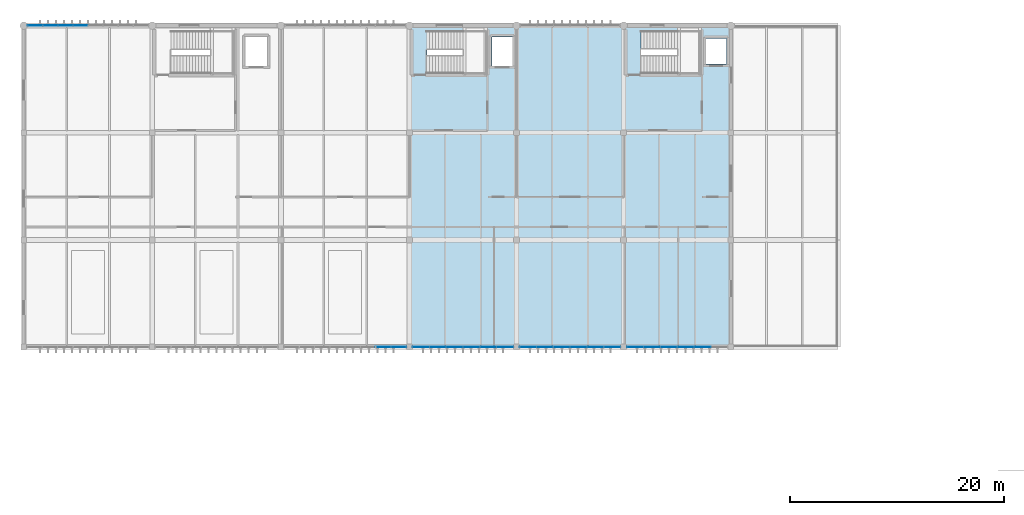
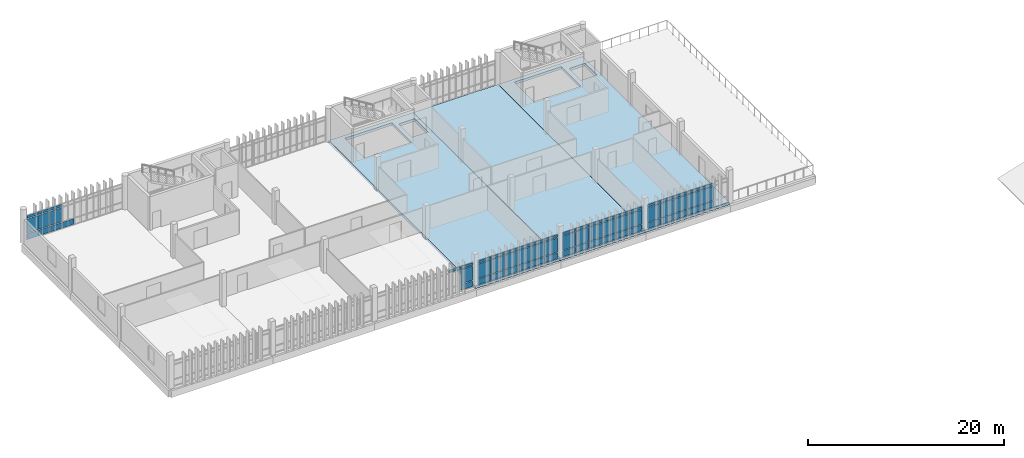
# One storey, part 23 of 29: 65 plates, 3 slabs, 5 elements without a shape of their own.
"""IFC4 building model written with IfcOpenShell, lengths in metres."""

import ifcopenshell
import ifcopenshell.guid

model = None  # the IFC model being written
_history = None  # IfcOwnerHistory: only IFC2X3 demands one
_inside = {}  # id of a spatial element -> (the spatial element, [elements in it])
_under = {}  # id of a project, library or spatial element -> (it, [spatial elements below it])
_declared = {}  # id of a project -> (the project, [libraries it declares])
_typed = {}  # id of a type object -> (the type object, [elements of that type])
_made_of = {}  # id of a material, layer set ... -> (it, [elements and type objects made of it])


def new_model(schema):
    """Start an empty IFC model of exactly this schema.

    Asked for "IFC4X3", IfcOpenShell would pick the latest addendum, in which some entities
    have other attributes; the version numbers below select the first issue.
    IFC2X3 requires an IfcOwnerHistory on every rooted entity: one is made here for all.
    """
    global model, _history
    if schema == "IFC4X3":
        model = ifcopenshell.file(schema_version=(4, 3, 0, 0))
    else:
        model = ifcopenshell.file(schema=schema)
    _inside.clear()
    _under.clear()
    _declared.clear()
    _typed.clear()
    _made_of.clear()
    _history = None
    if model.schema == "IFC2X3":
        org = make("IfcOrganization", Name="unknown")
        user = make(
            "IfcPersonAndOrganization",
            ThePerson=make("IfcPerson", FamilyName="unknown"),
            TheOrganization=org,
        )
        app = make(
            "IfcApplication",
            ApplicationDeveloper=org,
            Version="unknown",
            ApplicationFullName="unknown",
            ApplicationIdentifier="unknown",
        )
        _history = make(
            "IfcOwnerHistory",
            OwningUser=user,
            OwningApplication=app,
            ChangeAction="ADDED",
            CreationDate=0,
        )
    return model


def make(cls, **values):
    """One entity of the class cls with the attributes given. An attribute that is None is left unset."""
    return model.create_entity(
        cls, **{name: value for name, value in values.items() if value is not None}
    )


def rooted(cls, **values):
    """An entity with a GlobalId (a new one), such as an element, a storey or a relation."""
    return make(cls, GlobalId=ifcopenshell.guid.new(), OwnerHistory=_history, **values)


def si_unit(unit_type, name, prefix=None):
    """IfcSIUnit, for example si_unit("LENGTHUNIT", "METRE", prefix="MILLI")."""
    return make("IfcSIUnit", UnitType=unit_type, Prefix=prefix, Name=name)


def assignment(units):
    """IfcUnitAssignment: the units of a project."""
    return None if units is None else make("IfcUnitAssignment", Units=units)


def point(xyz):
    """IfcCartesianPoint."""
    return None if xyz is None else make("IfcCartesianPoint", Coordinates=xyz)


def direction(xyz):
    """IfcDirection."""
    return None if xyz is None else make("IfcDirection", DirectionRatios=xyz)


def frame(location, z_axis=None, x_axis=None):
    """IfcAxis2Placement3D, a coordinate frame: its origin and axes. An axis left out is left unset."""
    return make(
        "IfcAxis2Placement3D",
        Location=point(location),
        Axis=direction(z_axis),
        RefDirection=direction(x_axis),
    )


def frame_2d(location, x_axis=None):
    """IfcAxis2Placement2D, a coordinate frame in the plane: its origin and x axis."""
    return make(
        "IfcAxis2Placement2D", Location=point(location), RefDirection=direction(x_axis)
    )


def origin():
    """The frame at (0, 0, 0) with its axes left unset."""
    return frame((0.0, 0.0, 0.0))


def origin_2d():
    """The frame at (0, 0) in the plane with its x axis left unset."""
    return frame_2d((0.0, 0.0))


def place(relative_to, where):
    """IfcLocalPlacement: puts the frame where relative to a parent placement (None: the world)."""
    return make(
        "IfcLocalPlacement", PlacementRelTo=relative_to, RelativePlacement=where
    )


def context(
    kind, dimensions, precision=None, world=None, true_north=None, identifier=None
):
    """IfcGeometricRepresentationContext, for example the 3D "Model" context."""
    return make(
        "IfcGeometricRepresentationContext",
        ContextIdentifier=identifier,
        ContextType=kind,
        CoordinateSpaceDimension=dimensions,
        Precision=precision,
        WorldCoordinateSystem=world,
        TrueNorth=true_north,
    )


def subcontext(parent, identifier, kind, view, scale=None):
    """IfcGeometricRepresentationSubContext, for example "Body" below "Model"."""
    return make(
        "IfcGeometricRepresentationSubContext",
        ContextIdentifier=identifier,
        ContextType=kind,
        ParentContext=parent,
        TargetScale=scale,
        TargetView=view,
    )


def project(units=None, contexts=None):
    """IfcProject with its units and contexts."""
    return rooted(
        "IfcProject",
        Name="project",
        RepresentationContexts=contexts,
        UnitsInContext=assignment(units),
    )


def spatial(cls, under=None, at=None, **own):
    """A site, building, storey or space (cls), placed at a placement, below another one or the project."""
    s = rooted(cls, ObjectPlacement=at, **own)
    if under is not None:
        _under.setdefault(under.id(), (under, []))[1].append(s)
    return s


def polyline(points):
    """IfcPolyline through the points."""
    return make("IfcPolyline", Points=[point(p) for p in points])


def profile(cls, at=None, kind="AREA", **sizes):
    """A parametric profile (cls). Its sizes go by their IFC names, for example OverallWidth=200.0."""
    return make(cls, ProfileType=kind, Position=at, **sizes)


def rectangle(**sizes):
    """IfcRectangleProfileDef."""
    return profile("IfcRectangleProfileDef", **sizes)


def outline(outer, holes=None, kind="AREA"):
    """IfcArbitraryClosedProfileDef: a profile drawn as a closed curve; with holes, ...WithVoids."""
    if holes is None:
        return make("IfcArbitraryClosedProfileDef", ProfileType=kind, OuterCurve=outer)
    return make(
        "IfcArbitraryProfileDefWithVoids",
        ProfileType=kind,
        OuterCurve=outer,
        InnerCurves=holes,
    )


def extrude(swept, where, along, depth):
    """IfcExtrudedAreaSolid: the profile swept, set in the frame where, extruded along a direction by depth."""
    return make(
        "IfcExtrudedAreaSolid",
        SweptArea=swept,
        Position=where,
        ExtrudedDirection=direction(along),
        Depth=depth,
    )


def shape(context_of_items, identifier, shape_type, items):
    """IfcShapeRepresentation: the items that make up one representation, for example the "Body"."""
    return make(
        "IfcShapeRepresentation",
        ContextOfItems=context_of_items,
        RepresentationIdentifier=identifier,
        RepresentationType=shape_type,
        Items=items,
    )


def material(Name=None, Category=None):
    """IfcMaterial."""
    return make("IfcMaterial", Name=Name, Category=Category)


def layer(
    of_material, thickness, ventilated=None, Name=None, Category=None, Priority=None
):
    """IfcMaterialLayer: one layer of a wall or slab, of a material (None: an air gap)."""
    return make(
        "IfcMaterialLayer",
        Material=of_material,
        LayerThickness=thickness,
        IsVentilated=ventilated,
        Name=Name,
        Category=Category,
        Priority=Priority,
    )


def layer_set(layers, Name=None):
    """IfcMaterialLayerSet."""
    return make("IfcMaterialLayerSet", MaterialLayers=layers, LayerSetName=Name)


def made_of(thing, what):
    """Note that an element or type object is made of a material, layer set ...; save() writes the relation."""
    if what is not None:
        _made_of.setdefault(what.id(), (what, []))[1].append(thing)
    return thing


def type_object(cls, material=None, **own):
    """A type object (cls), such as IfcWallType, which elements share."""
    return made_of(rooted(cls, **own), material)


def element(
    cls,
    number,
    at=None,
    inside=None,
    cuts=None,
    type_object=None,
    material=None,
    context=None,
    identifier="Body",
    shape_type=None,
    held_by="IfcProductDefinitionShape",
    body=None,
    shapes=None,
    **own,
):
    """One element of the class cls, such as IfcWall. Its Tag is "e" and its number.

    at: its placement. inside: the storey or other place that contains it. cuts: it is an
    opening in that element (IfcRelVoidsElement). A single representation is given by context,
    identifier, shape_type and body (its items); several are given by shapes. held_by: the class
    of the entity that holds the representations. save() writes the other relations.
    """
    e = rooted(cls, Tag="e%d" % number, ObjectPlacement=at, **own)
    if body is not None:
        shapes = [shape(context, identifier, shape_type, body)]
    if shapes is not None:
        e.Representation = make(held_by, Representations=shapes)
    if inside is not None:
        _inside.setdefault(inside.id(), (inside, []))[1].append(e)
    if cuts is not None:
        rooted(
            "IfcRelVoidsElement", RelatingBuildingElement=cuts, RelatedOpeningElement=e
        )
    if type_object is not None:
        _typed.setdefault(type_object.id(), (type_object, []))[1].append(e)
    return made_of(e, material)


def aggregate(whole, parts):
    """IfcRelAggregates: a whole, such as a stair, and the parts it consists of."""
    return rooted("IfcRelAggregates", RelatingObject=whole, RelatedObjects=parts)


def save(model, path):
    """Write the relations noted so far, then the file.

    IfcRelAggregates (storeys below a building ...), IfcRelContainedInSpatialStructure (elements
    in a storey), IfcRelDefinesByType, IfcRelAssociatesMaterial and IfcRelDeclares: one each for
    every whole, place, type object, material and project.
    """
    for whole, parts in _under.values():
        aggregate(whole, parts)
    for where, things in _inside.values():
        rooted(
            "IfcRelContainedInSpatialStructure",
            RelatedElements=things,
            RelatingStructure=where,
        )
    for kind, things in _typed.values():
        rooted("IfcRelDefinesByType", RelatedObjects=things, RelatingType=kind)
    for what, things in _made_of.values():
        rooted("IfcRelAssociatesMaterial", RelatedObjects=things, RelatingMaterial=what)
    for by, libraries in _declared.values():
        rooted("IfcRelDeclares", RelatingContext=by, RelatedDefinitions=libraries)
    model.write(path)


model = new_model("IFC4")

# Units and contexts
model_context = context("Model", 3, precision=1e-05, world=origin(), true_north=direction((0.0, 1.0)))
body_context = subcontext(model_context, "Body", "Model", "MODEL_VIEW")
ifc_project = project(units=[si_unit("LENGTHUNIT", "METRE"), si_unit("AREAUNIT", "SQUARE_METRE"), si_unit("VOLUMEUNIT", "CUBIC_METRE"), si_unit("PLANEANGLEUNIT", "RADIAN"), si_unit("MASSUNIT", "GRAM", prefix="KILO")], contexts=[model_context])

# Site, building, storey
site_placement = place(None, origin())
site = spatial("IfcSite", under=ifc_project, at=site_placement, CompositionType="ELEMENT")
building_placement = place(site_placement, origin())
building = spatial("IfcBuilding", under=site, at=building_placement, Name="Mersad Railyard Sports Hall", CompositionType="ELEMENT")
storey_placement = place(building_placement, frame((0.0, 0.0, 17.39990234375)))
storey = spatial("IfcBuildingStorey", under=building, at=storey_placement, Name="L04", CompositionType="ELEMENT", Elevation=17.39990234375)

# Curtain wall, plates
ifc_material_1 = material(Name="Aluminium 6063-T6", Category="aluminium")
ifc_layer_1 = layer(ifc_material_1, 0.159912109375)
ifc_layer_set_1 = layer_set([ifc_layer_1], Name="Aluminium 6063-T6")
curtain_wall_type_1 = type_object("IfcCurtainWallType", Name="ARC-CW-CW62", PredefinedType="USERDEFINED", material=ifc_layer_set_1)
curtain_wall_1_placement = place(storey_placement, origin())
curtain_wall_1 = element("IfcCurtainWall", 1, at=curtain_wall_1_placement, inside=storey, type_object=curtain_wall_type_1, Name="Curtain wall CW62-0162", ObjectType="CURTAIN WALL", PredefinedType="USERDEFINED")
ifc_material_2 = material(Name="Solar-control glass", Category="glass")
ifc_layer_2 = layer(ifc_material_2, 0.028076171875)
ifc_layer_set_2 = layer_set([ifc_layer_2], Name="Solar-control glass")
plate_type = type_object("IfcPlateType", Name="ARC-CW-PNL01", PredefinedType="CURTAIN_PANEL", material=ifc_layer_set_2)
plate_1_placement = place(storey_placement, frame((56.07373046875, 115.0, 0.0849609375), z_axis=(0.0, 0.0, 1.0), x_axis=(1.0, 0.0, 0.0)))
plate_1 = element("IfcPlate", 2, at=plate_1_placement, type_object=plate_type, Name="CW62 Glazed panel 1-1", PredefinedType="CURTAIN_PANEL", context=body_context, shape_type="SweptSolid", body=[
    extrude(rectangle(XDim=1.363525390625, YDim=0.028076171875, at=origin_2d()), origin(), (0.0, 0.0, 1.0), 0.719970703125),
])
plate_2_placement = place(storey_placement, frame((56.07373046875, 115.0, 0.89501953125), z_axis=(0.0, 0.0, 1.0), x_axis=(1.0, 0.0, 0.0)))
plate_2 = element("IfcPlate", 3, at=plate_2_placement, type_object=plate_type, Name="CW62 Glazed panel 1-2", PredefinedType="CURTAIN_PANEL", context=body_context, shape_type="SweptSolid", body=[
    extrude(rectangle(XDim=1.363525390625, YDim=0.028076171875, at=origin_2d()), origin(), (0.0, 0.0, 1.0), 1.760009765625),
])
plate_3_placement = place(storey_placement, frame((56.07373046875, 115.0, 2.7451171875), z_axis=(0.0, 0.0, 1.0), x_axis=(1.0, 0.0, 0.0)))
plate_3 = element("IfcPlate", 4, at=plate_3_placement, type_object=plate_type, Name="CW62 Glazed panel 1-3", PredefinedType="CURTAIN_PANEL", context=body_context, shape_type="SweptSolid", body=[
    extrude(rectangle(XDim=1.363525390625, YDim=0.028076171875, at=origin_2d()), origin(), (0.0, 0.0, 1.0), 0.35009765625),
])
plate_4_placement = place(storey_placement, frame((57.481201171875, 115.0, 0.0849609375), z_axis=(0.0, 0.0, 1.0), x_axis=(1.0, 0.0, 0.0)))
plate_4 = element("IfcPlate", 5, at=plate_4_placement, type_object=plate_type, Name="CW62 Glazed panel 2-1", PredefinedType="CURTAIN_PANEL", context=body_context, shape_type="SweptSolid", body=[
    extrude(rectangle(XDim=1.363525390625, YDim=0.028076171875, at=origin_2d()), origin(), (0.0, 0.0, 1.0), 0.719970703125),
])
plate_5_placement = place(storey_placement, frame((57.481201171875, 115.0, 0.89501953125), z_axis=(0.0, 0.0, 1.0), x_axis=(1.0, 0.0, 0.0)))
plate_5 = element("IfcPlate", 6, at=plate_5_placement, type_object=plate_type, Name="CW62 Glazed panel 2-2", PredefinedType="CURTAIN_PANEL", context=body_context, shape_type="SweptSolid", body=[
    extrude(rectangle(XDim=1.363525390625, YDim=0.028076171875, at=origin_2d()), origin(), (0.0, 0.0, 1.0), 1.760009765625),
])
plate_6_placement = place(storey_placement, frame((57.481201171875, 115.0, 2.7451171875), z_axis=(0.0, 0.0, 1.0), x_axis=(1.0, 0.0, 0.0)))
plate_6 = element("IfcPlate", 7, at=plate_6_placement, type_object=plate_type, Name="CW62 Glazed panel 2-3", PredefinedType="CURTAIN_PANEL", context=body_context, shape_type="SweptSolid", body=[
    extrude(rectangle(XDim=1.363525390625, YDim=0.028076171875, at=origin_2d()), origin(), (0.0, 0.0, 1.0), 0.35009765625),
])
plate_7_placement = place(storey_placement, frame((58.888671875, 115.0, 0.0849609375), z_axis=(0.0, 0.0, 1.0), x_axis=(1.0, 0.0, 0.0)))
plate_7 = element("IfcPlate", 8, at=plate_7_placement, type_object=plate_type, Name="CW62 Glazed panel 3-1", PredefinedType="CURTAIN_PANEL", context=body_context, shape_type="SweptSolid", body=[
    extrude(rectangle(XDim=1.363525390625, YDim=0.028076171875, at=origin_2d()), origin(), (0.0, 0.0, 1.0), 0.719970703125),
])
plate_8_placement = place(storey_placement, frame((58.888671875, 115.0, 0.89501953125), z_axis=(0.0, 0.0, 1.0), x_axis=(1.0, 0.0, 0.0)))
plate_8 = element("IfcPlate", 9, at=plate_8_placement, type_object=plate_type, Name="CW62 Glazed panel 3-2", PredefinedType="CURTAIN_PANEL", context=body_context, shape_type="SweptSolid", body=[
    extrude(rectangle(XDim=1.363525390625, YDim=0.028076171875, at=origin_2d()), origin(), (0.0, 0.0, 1.0), 1.760009765625),
])
plate_9_placement = place(storey_placement, frame((58.888671875, 115.0, 2.7451171875), z_axis=(0.0, 0.0, 1.0), x_axis=(1.0, 0.0, 0.0)))
plate_9 = element("IfcPlate", 10, at=plate_9_placement, type_object=plate_type, Name="CW62 Glazed panel 3-3", PredefinedType="CURTAIN_PANEL", context=body_context, shape_type="SweptSolid", body=[
    extrude(rectangle(XDim=1.363525390625, YDim=0.028076171875, at=origin_2d()), origin(), (0.0, 0.0, 1.0), 0.35009765625),
])
plate_10_placement = place(storey_placement, frame((60.296142578125, 115.0, 0.0849609375), z_axis=(0.0, 0.0, 1.0), x_axis=(1.0, 0.0, 0.0)))
plate_10 = element("IfcPlate", 11, at=plate_10_placement, type_object=plate_type, Name="CW62 Glazed panel 4-1", PredefinedType="CURTAIN_PANEL", context=body_context, shape_type="SweptSolid", body=[
    extrude(rectangle(XDim=1.363525390625, YDim=0.028076171875, at=origin_2d()), origin(), (0.0, 0.0, 1.0), 0.719970703125),
])
aggregate(curtain_wall_1, [plate_1, plate_2, plate_3, plate_4, plate_5, plate_6, plate_7, plate_8, plate_9, plate_10])

ifc_layer_3 = layer(ifc_material_1, 0.159912109375)
ifc_layer_set_3 = layer_set([ifc_layer_3], Name="Aluminium 6063-T6")
curtain_wall_type_2 = type_object("IfcCurtainWallType", Name="ARC-CW-CW64", PredefinedType="USERDEFINED", material=ifc_layer_set_3)
curtain_wall_2_placement = place(storey_placement, origin())
curtain_wall_2 = element("IfcCurtainWall", 12, at=curtain_wall_2_placement, inside=storey, type_object=curtain_wall_type_2, Name="Curtain wall CW64-0167", ObjectType="CURTAIN WALL", PredefinedType="USERDEFINED")
plate_11_placement = place(storey_placement, frame((89.991943359375, 85.0, 0.0849609375), z_axis=(0.0, 0.0, 1.0), x_axis=(-1.0, 0.0, 0.0)))
plate_11 = element("IfcPlate", 13, at=plate_11_placement, type_object=plate_type, Name="CW64 Glazed panel 1-1", PredefinedType="CURTAIN_PANEL", context=body_context, shape_type="SweptSolid", body=[
    extrude(rectangle(XDim=1.38232421875, YDim=0.028076171875, at=origin_2d()), origin(), (0.0, 0.0, 1.0), 0.719970703125),
])
plate_12_placement = place(storey_placement, frame((89.991943359375, 85.0, 0.89501953125), z_axis=(0.0, 0.0, 1.0), x_axis=(-1.0, 0.0, 0.0)))
plate_12 = element("IfcPlate", 14, at=plate_12_placement, type_object=plate_type, Name="CW64 Glazed panel 1-2", PredefinedType="CURTAIN_PANEL", context=body_context, shape_type="SweptSolid", body=[
    extrude(rectangle(XDim=1.38232421875, YDim=0.028076171875, at=origin_2d()), origin(), (0.0, 0.0, 1.0), 1.760009765625),
])
plate_13_placement = place(storey_placement, frame((89.991943359375, 85.0, 2.7451171875), z_axis=(0.0, 0.0, 1.0), x_axis=(-1.0, 0.0, 0.0)))
plate_13 = element("IfcPlate", 15, at=plate_13_placement, type_object=plate_type, Name="CW64 Glazed panel 1-3", PredefinedType="CURTAIN_PANEL", context=body_context, shape_type="SweptSolid", body=[
    extrude(rectangle(XDim=1.38232421875, YDim=0.028076171875, at=origin_2d()), origin(), (0.0, 0.0, 1.0), 0.35009765625),
])
plate_14_placement = place(storey_placement, frame((88.565673828125, 85.0, 2.7451171875), z_axis=(0.0, 0.0, 1.0), x_axis=(-1.0, 0.0, 0.0)))
plate_14 = element("IfcPlate", 16, at=plate_14_placement, type_object=plate_type, Name="CW64 Glazed panel 2-3", PredefinedType="CURTAIN_PANEL", context=body_context, shape_type="SweptSolid", body=[
    extrude(rectangle(XDim=1.38232421875, YDim=0.028076171875, at=origin_2d()), origin(), (0.0, 0.0, 1.0), 0.35009765625),
])
aggregate(curtain_wall_2, [plate_11, plate_12, plate_13, plate_14])

ifc_layer_4 = layer(ifc_material_1, 0.159912109375)
ifc_layer_set_4 = layer_set([ifc_layer_4], Name="Aluminium 6063-T6")
curtain_wall_type_3 = type_object("IfcCurtainWallType", Name="ARC-CW-CW65", PredefinedType="USERDEFINED", material=ifc_layer_set_4)
curtain_wall_3_placement = place(storey_placement, origin())
curtain_wall_3 = element("IfcCurtainWall", 17, at=curtain_wall_3_placement, inside=storey, type_object=curtain_wall_type_3, Name="Curtain wall CW65-0168", ObjectType="CURTAIN WALL", PredefinedType="USERDEFINED")
plate_15_placement = place(storey_placement, frame((99.9208984375, 85.0, 0.0849609375), z_axis=(0.0, 0.0, 1.0), x_axis=(-1.0, 0.0, 0.0)))
plate_15 = element("IfcPlate", 18, at=plate_15_placement, type_object=plate_type, Name="CW65 Glazed panel 1-1", PredefinedType="CURTAIN_PANEL", context=body_context, shape_type="SweptSolid", body=[
    extrude(rectangle(XDim=1.5244140625, YDim=0.028076171875, at=origin_2d()), origin(), (0.0, 0.0, 1.0), 0.719970703125),
])
plate_16_placement = place(storey_placement, frame((99.9208984375, 85.0, 0.89501953125), z_axis=(0.0, 0.0, 1.0), x_axis=(-1.0, 0.0, 0.0)))
plate_16 = element("IfcPlate", 19, at=plate_16_placement, type_object=plate_type, Name="CW65 Glazed panel 1-2", PredefinedType="CURTAIN_PANEL", context=body_context, shape_type="SweptSolid", body=[
    extrude(rectangle(XDim=1.5244140625, YDim=0.028076171875, at=origin_2d()), origin(), (0.0, 0.0, 1.0), 1.760009765625),
])
plate_17_placement = place(storey_placement, frame((99.9208984375, 85.0, 2.7451171875), z_axis=(0.0, 0.0, 1.0), x_axis=(-1.0, 0.0, 0.0)))
plate_17 = element("IfcPlate", 20, at=plate_17_placement, type_object=plate_type, Name="CW65 Glazed panel 1-3", PredefinedType="CURTAIN_PANEL", context=body_context, shape_type="SweptSolid", body=[
    extrude(rectangle(XDim=1.5244140625, YDim=0.028076171875, at=origin_2d()), origin(), (0.0, 0.0, 1.0), 0.35009765625),
])
plate_18_placement = place(storey_placement, frame((98.3525390625, 85.0, 0.0849609375), z_axis=(0.0, 0.0, 1.0), x_axis=(-1.0, 0.0, 0.0)))
plate_18 = element("IfcPlate", 21, at=plate_18_placement, type_object=plate_type, Name="CW65 Glazed panel 2-1", PredefinedType="CURTAIN_PANEL", context=body_context, shape_type="SweptSolid", body=[
    extrude(rectangle(XDim=1.5244140625, YDim=0.028076171875, at=origin_2d()), origin(), (0.0, 0.0, 1.0), 0.719970703125),
])
plate_19_placement = place(storey_placement, frame((98.3525390625, 85.0, 0.89501953125), z_axis=(0.0, 0.0, 1.0), x_axis=(-1.0, 0.0, 0.0)))
plate_19 = element("IfcPlate", 22, at=plate_19_placement, type_object=plate_type, Name="CW65 Glazed panel 2-2", PredefinedType="CURTAIN_PANEL", context=body_context, shape_type="SweptSolid", body=[
    extrude(rectangle(XDim=1.5244140625, YDim=0.028076171875, at=origin_2d()), origin(), (0.0, 0.0, 1.0), 1.760009765625),
])
plate_20_placement = place(storey_placement, frame((98.3525390625, 85.0, 2.7451171875), z_axis=(0.0, 0.0, 1.0), x_axis=(-1.0, 0.0, 0.0)))
plate_20 = element("IfcPlate", 23, at=plate_20_placement, type_object=plate_type, Name="CW65 Glazed panel 2-3", PredefinedType="CURTAIN_PANEL", context=body_context, shape_type="SweptSolid", body=[
    extrude(rectangle(XDim=1.5244140625, YDim=0.028076171875, at=origin_2d()), origin(), (0.0, 0.0, 1.0), 0.35009765625),
])
plate_21_placement = place(storey_placement, frame((96.7841796875, 85.0, 0.0849609375), z_axis=(0.0, 0.0, 1.0), x_axis=(-1.0, 0.0, 0.0)))
plate_21 = element("IfcPlate", 24, at=plate_21_placement, type_object=plate_type, Name="CW65 Glazed panel 3-1", PredefinedType="CURTAIN_PANEL", context=body_context, shape_type="SweptSolid", body=[
    extrude(rectangle(XDim=1.5244140625, YDim=0.028076171875, at=origin_2d()), origin(), (0.0, 0.0, 1.0), 0.719970703125),
])
plate_22_placement = place(storey_placement, frame((96.7841796875, 85.0, 0.89501953125), z_axis=(0.0, 0.0, 1.0), x_axis=(-1.0, 0.0, 0.0)))
plate_22 = element("IfcPlate", 25, at=plate_22_placement, type_object=plate_type, Name="CW65 Glazed panel 3-2", PredefinedType="CURTAIN_PANEL", context=body_context, shape_type="SweptSolid", body=[
    extrude(rectangle(XDim=1.5244140625, YDim=0.028076171875, at=origin_2d()), origin(), (0.0, 0.0, 1.0), 1.760009765625),
])
plate_23_placement = place(storey_placement, frame((96.7841796875, 85.0, 2.7451171875), z_axis=(0.0, 0.0, 1.0), x_axis=(-1.0, 0.0, 0.0)))
plate_23 = element("IfcPlate", 26, at=plate_23_placement, type_object=plate_type, Name="CW65 Glazed panel 3-3", PredefinedType="CURTAIN_PANEL", context=body_context, shape_type="SweptSolid", body=[
    extrude(rectangle(XDim=1.5244140625, YDim=0.028076171875, at=origin_2d()), origin(), (0.0, 0.0, 1.0), 0.35009765625),
])
plate_24_placement = place(storey_placement, frame((95.2158203125, 85.0, 0.0849609375), z_axis=(0.0, 0.0, 1.0), x_axis=(-1.0, 0.0, 0.0)))
plate_24 = element("IfcPlate", 27, at=plate_24_placement, type_object=plate_type, Name="CW65 Glazed panel 4-1", PredefinedType="CURTAIN_PANEL", context=body_context, shape_type="SweptSolid", body=[
    extrude(rectangle(XDim=1.5244140625, YDim=0.028076171875, at=origin_2d()), origin(), (0.0, 0.0, 1.0), 0.719970703125),
])
plate_25_placement = place(storey_placement, frame((95.2158203125, 85.0, 0.89501953125), z_axis=(0.0, 0.0, 1.0), x_axis=(-1.0, 0.0, 0.0)))
plate_25 = element("IfcPlate", 28, at=plate_25_placement, type_object=plate_type, Name="CW65 Glazed panel 4-2", PredefinedType="CURTAIN_PANEL", context=body_context, shape_type="SweptSolid", body=[
    extrude(rectangle(XDim=1.5244140625, YDim=0.028076171875, at=origin_2d()), origin(), (0.0, 0.0, 1.0), 1.760009765625),
])
plate_26_placement = place(storey_placement, frame((95.2158203125, 85.0, 2.7451171875), z_axis=(0.0, 0.0, 1.0), x_axis=(-1.0, 0.0, 0.0)))
plate_26 = element("IfcPlate", 29, at=plate_26_placement, type_object=plate_type, Name="CW65 Glazed panel 4-3", PredefinedType="CURTAIN_PANEL", context=body_context, shape_type="SweptSolid", body=[
    extrude(rectangle(XDim=1.5244140625, YDim=0.028076171875, at=origin_2d()), origin(), (0.0, 0.0, 1.0), 0.35009765625),
])
plate_27_placement = place(storey_placement, frame((93.6474609375, 85.0, 0.0849609375), z_axis=(0.0, 0.0, 1.0), x_axis=(-1.0, 0.0, 0.0)))
plate_27 = element("IfcPlate", 30, at=plate_27_placement, type_object=plate_type, Name="CW65 Glazed panel 5-1", PredefinedType="CURTAIN_PANEL", context=body_context, shape_type="SweptSolid", body=[
    extrude(rectangle(XDim=1.5244140625, YDim=0.028076171875, at=origin_2d()), origin(), (0.0, 0.0, 1.0), 0.719970703125),
])
plate_28_placement = place(storey_placement, frame((93.6474609375, 85.0, 0.89501953125), z_axis=(0.0, 0.0, 1.0), x_axis=(-1.0, 0.0, 0.0)))
plate_28 = element("IfcPlate", 31, at=plate_28_placement, type_object=plate_type, Name="CW65 Glazed panel 5-2", PredefinedType="CURTAIN_PANEL", context=body_context, shape_type="SweptSolid", body=[
    extrude(rectangle(XDim=1.5244140625, YDim=0.028076171875, at=origin_2d()), origin(), (0.0, 0.0, 1.0), 1.760009765625),
])
plate_29_placement = place(storey_placement, frame((93.6474609375, 85.0, 2.7451171875), z_axis=(0.0, 0.0, 1.0), x_axis=(-1.0, 0.0, 0.0)))
plate_29 = element("IfcPlate", 32, at=plate_29_placement, type_object=plate_type, Name="CW65 Glazed panel 5-3", PredefinedType="CURTAIN_PANEL", context=body_context, shape_type="SweptSolid", body=[
    extrude(rectangle(XDim=1.5244140625, YDim=0.028076171875, at=origin_2d()), origin(), (0.0, 0.0, 1.0), 0.35009765625),
])
plate_30_placement = place(storey_placement, frame((92.0791015625, 85.0, 0.0849609375), z_axis=(0.0, 0.0, 1.0), x_axis=(-1.0, 0.0, 0.0)))
plate_30 = element("IfcPlate", 33, at=plate_30_placement, type_object=plate_type, Name="CW65 Glazed panel 6-1", PredefinedType="CURTAIN_PANEL", context=body_context, shape_type="SweptSolid", body=[
    extrude(rectangle(XDim=1.5244140625, YDim=0.028076171875, at=origin_2d()), origin(), (0.0, 0.0, 1.0), 0.719970703125),
])
plate_31_placement = place(storey_placement, frame((92.0791015625, 85.0, 0.89501953125), z_axis=(0.0, 0.0, 1.0), x_axis=(-1.0, 0.0, 0.0)))
plate_31 = element("IfcPlate", 34, at=plate_31_placement, type_object=plate_type, Name="CW65 Glazed panel 6-2", PredefinedType="CURTAIN_PANEL", context=body_context, shape_type="SweptSolid", body=[
    extrude(rectangle(XDim=1.5244140625, YDim=0.028076171875, at=origin_2d()), origin(), (0.0, 0.0, 1.0), 1.760009765625),
])
plate_32_placement = place(storey_placement, frame((92.0791015625, 85.0, 2.7451171875), z_axis=(0.0, 0.0, 1.0), x_axis=(-1.0, 0.0, 0.0)))
plate_32 = element("IfcPlate", 35, at=plate_32_placement, type_object=plate_type, Name="CW65 Glazed panel 6-3", PredefinedType="CURTAIN_PANEL", context=body_context, shape_type="SweptSolid", body=[
    extrude(rectangle(XDim=1.5244140625, YDim=0.028076171875, at=origin_2d()), origin(), (0.0, 0.0, 1.0), 0.35009765625),
])
aggregate(curtain_wall_3, [plate_15, plate_16, plate_17, plate_18, plate_19, plate_20, plate_21, plate_22, plate_23, plate_24, plate_25, plate_26, plate_27, plate_28, plate_29, plate_30, plate_31, plate_32])

curtain_wall_4_placement = place(storey_placement, origin())
curtain_wall_4 = element("IfcCurtainWall", 36, at=curtain_wall_4_placement, inside=storey, type_object=curtain_wall_type_3, Name="Curtain wall CW65-0169", ObjectType="CURTAIN WALL", PredefinedType="USERDEFINED")
plate_33_placement = place(storey_placement, frame((109.9208984375, 85.0, 0.0849609375), z_axis=(0.0, 0.0, 1.0), x_axis=(-1.0, 0.0, 0.0)))
plate_33 = element("IfcPlate", 37, at=plate_33_placement, type_object=plate_type, Name="CW65 Glazed panel 1-1", PredefinedType="CURTAIN_PANEL", context=body_context, shape_type="SweptSolid", body=[
    extrude(rectangle(XDim=1.5244140625, YDim=0.028076171875, at=origin_2d()), origin(), (0.0, 0.0, 1.0), 0.719970703125),
])
plate_34_placement = place(storey_placement, frame((109.9208984375, 85.0, 0.89501953125), z_axis=(0.0, 0.0, 1.0), x_axis=(-1.0, 0.0, 0.0)))
plate_34 = element("IfcPlate", 38, at=plate_34_placement, type_object=plate_type, Name="CW65 Glazed panel 1-2", PredefinedType="CURTAIN_PANEL", context=body_context, shape_type="SweptSolid", body=[
    extrude(rectangle(XDim=1.5244140625, YDim=0.028076171875, at=origin_2d()), origin(), (0.0, 0.0, 1.0), 1.760009765625),
])
plate_35_placement = place(storey_placement, frame((109.9208984375, 85.0, 2.7451171875), z_axis=(0.0, 0.0, 1.0), x_axis=(-1.0, 0.0, 0.0)))
plate_35 = element("IfcPlate", 39, at=plate_35_placement, type_object=plate_type, Name="CW65 Glazed panel 1-3", PredefinedType="CURTAIN_PANEL", context=body_context, shape_type="SweptSolid", body=[
    extrude(rectangle(XDim=1.5244140625, YDim=0.028076171875, at=origin_2d()), origin(), (0.0, 0.0, 1.0), 0.35009765625),
])
plate_36_placement = place(storey_placement, frame((108.3525390625, 85.0, 0.0849609375), z_axis=(0.0, 0.0, 1.0), x_axis=(-1.0, 0.0, 0.0)))
plate_36 = element("IfcPlate", 40, at=plate_36_placement, type_object=plate_type, Name="CW65 Glazed panel 2-1", PredefinedType="CURTAIN_PANEL", context=body_context, shape_type="SweptSolid", body=[
    extrude(rectangle(XDim=1.5244140625, YDim=0.028076171875, at=origin_2d()), origin(), (0.0, 0.0, 1.0), 0.719970703125),
])
plate_37_placement = place(storey_placement, frame((108.3525390625, 85.0, 0.89501953125), z_axis=(0.0, 0.0, 1.0), x_axis=(-1.0, 0.0, 0.0)))
plate_37 = element("IfcPlate", 41, at=plate_37_placement, type_object=plate_type, Name="CW65 Glazed panel 2-2", PredefinedType="CURTAIN_PANEL", context=body_context, shape_type="SweptSolid", body=[
    extrude(rectangle(XDim=1.5244140625, YDim=0.028076171875, at=origin_2d()), origin(), (0.0, 0.0, 1.0), 1.760009765625),
])
plate_38_placement = place(storey_placement, frame((108.3525390625, 85.0, 2.7451171875), z_axis=(0.0, 0.0, 1.0), x_axis=(-1.0, 0.0, 0.0)))
plate_38 = element("IfcPlate", 42, at=plate_38_placement, type_object=plate_type, Name="CW65 Glazed panel 2-3", PredefinedType="CURTAIN_PANEL", context=body_context, shape_type="SweptSolid", body=[
    extrude(rectangle(XDim=1.5244140625, YDim=0.028076171875, at=origin_2d()), origin(), (0.0, 0.0, 1.0), 0.35009765625),
])
plate_39_placement = place(storey_placement, frame((106.7841796875, 85.0, 0.0849609375), z_axis=(0.0, 0.0, 1.0), x_axis=(-1.0, 0.0, 0.0)))
plate_39 = element("IfcPlate", 43, at=plate_39_placement, type_object=plate_type, Name="CW65 Glazed panel 3-1", PredefinedType="CURTAIN_PANEL", context=body_context, shape_type="SweptSolid", body=[
    extrude(rectangle(XDim=1.5244140625, YDim=0.028076171875, at=origin_2d()), origin(), (0.0, 0.0, 1.0), 0.719970703125),
])
plate_40_placement = place(storey_placement, frame((106.7841796875, 85.0, 0.89501953125), z_axis=(0.0, 0.0, 1.0), x_axis=(-1.0, 0.0, 0.0)))
plate_40 = element("IfcPlate", 44, at=plate_40_placement, type_object=plate_type, Name="CW65 Glazed panel 3-2", PredefinedType="CURTAIN_PANEL", context=body_context, shape_type="SweptSolid", body=[
    extrude(rectangle(XDim=1.5244140625, YDim=0.028076171875, at=origin_2d()), origin(), (0.0, 0.0, 1.0), 1.760009765625),
])
plate_41_placement = place(storey_placement, frame((106.7841796875, 85.0, 2.7451171875), z_axis=(0.0, 0.0, 1.0), x_axis=(-1.0, 0.0, 0.0)))
plate_41 = element("IfcPlate", 45, at=plate_41_placement, type_object=plate_type, Name="CW65 Glazed panel 3-3", PredefinedType="CURTAIN_PANEL", context=body_context, shape_type="SweptSolid", body=[
    extrude(rectangle(XDim=1.5244140625, YDim=0.028076171875, at=origin_2d()), origin(), (0.0, 0.0, 1.0), 0.35009765625),
])
plate_42_placement = place(storey_placement, frame((105.2158203125, 85.0, 0.0849609375), z_axis=(0.0, 0.0, 1.0), x_axis=(-1.0, 0.0, 0.0)))
plate_42 = element("IfcPlate", 46, at=plate_42_placement, type_object=plate_type, Name="CW65 Glazed panel 4-1", PredefinedType="CURTAIN_PANEL", context=body_context, shape_type="SweptSolid", body=[
    extrude(rectangle(XDim=1.5244140625, YDim=0.028076171875, at=origin_2d()), origin(), (0.0, 0.0, 1.0), 0.719970703125),
])
plate_43_placement = place(storey_placement, frame((105.2158203125, 85.0, 0.89501953125), z_axis=(0.0, 0.0, 1.0), x_axis=(-1.0, 0.0, 0.0)))
plate_43 = element("IfcPlate", 47, at=plate_43_placement, type_object=plate_type, Name="CW65 Glazed panel 4-2", PredefinedType="CURTAIN_PANEL", context=body_context, shape_type="SweptSolid", body=[
    extrude(rectangle(XDim=1.5244140625, YDim=0.028076171875, at=origin_2d()), origin(), (0.0, 0.0, 1.0), 1.760009765625),
])
plate_44_placement = place(storey_placement, frame((105.2158203125, 85.0, 2.7451171875), z_axis=(0.0, 0.0, 1.0), x_axis=(-1.0, 0.0, 0.0)))
plate_44 = element("IfcPlate", 48, at=plate_44_placement, type_object=plate_type, Name="CW65 Glazed panel 4-3", PredefinedType="CURTAIN_PANEL", context=body_context, shape_type="SweptSolid", body=[
    extrude(rectangle(XDim=1.5244140625, YDim=0.028076171875, at=origin_2d()), origin(), (0.0, 0.0, 1.0), 0.35009765625),
])
plate_45_placement = place(storey_placement, frame((103.6474609375, 85.0, 0.0849609375), z_axis=(0.0, 0.0, 1.0), x_axis=(-1.0, 0.0, 0.0)))
plate_45 = element("IfcPlate", 49, at=plate_45_placement, type_object=plate_type, Name="CW65 Glazed panel 5-1", PredefinedType="CURTAIN_PANEL", context=body_context, shape_type="SweptSolid", body=[
    extrude(rectangle(XDim=1.5244140625, YDim=0.028076171875, at=origin_2d()), origin(), (0.0, 0.0, 1.0), 0.719970703125),
])
plate_46_placement = place(storey_placement, frame((103.6474609375, 85.0, 0.89501953125), z_axis=(0.0, 0.0, 1.0), x_axis=(-1.0, 0.0, 0.0)))
plate_46 = element("IfcPlate", 50, at=plate_46_placement, type_object=plate_type, Name="CW65 Glazed panel 5-2", PredefinedType="CURTAIN_PANEL", context=body_context, shape_type="SweptSolid", body=[
    extrude(rectangle(XDim=1.5244140625, YDim=0.028076171875, at=origin_2d()), origin(), (0.0, 0.0, 1.0), 1.760009765625),
])
plate_47_placement = place(storey_placement, frame((103.6474609375, 85.0, 2.7451171875), z_axis=(0.0, 0.0, 1.0), x_axis=(-1.0, 0.0, 0.0)))
plate_47 = element("IfcPlate", 51, at=plate_47_placement, type_object=plate_type, Name="CW65 Glazed panel 5-3", PredefinedType="CURTAIN_PANEL", context=body_context, shape_type="SweptSolid", body=[
    extrude(rectangle(XDim=1.5244140625, YDim=0.028076171875, at=origin_2d()), origin(), (0.0, 0.0, 1.0), 0.35009765625),
])
plate_48_placement = place(storey_placement, frame((102.0791015625, 85.0, 0.0849609375), z_axis=(0.0, 0.0, 1.0), x_axis=(-1.0, 0.0, 0.0)))
plate_48 = element("IfcPlate", 52, at=plate_48_placement, type_object=plate_type, Name="CW65 Glazed panel 6-1", PredefinedType="CURTAIN_PANEL", context=body_context, shape_type="SweptSolid", body=[
    extrude(rectangle(XDim=1.5244140625, YDim=0.028076171875, at=origin_2d()), origin(), (0.0, 0.0, 1.0), 0.719970703125),
])
plate_49_placement = place(storey_placement, frame((102.0791015625, 85.0, 0.89501953125), z_axis=(0.0, 0.0, 1.0), x_axis=(-1.0, 0.0, 0.0)))
plate_49 = element("IfcPlate", 53, at=plate_49_placement, type_object=plate_type, Name="CW65 Glazed panel 6-2", PredefinedType="CURTAIN_PANEL", context=body_context, shape_type="SweptSolid", body=[
    extrude(rectangle(XDim=1.5244140625, YDim=0.028076171875, at=origin_2d()), origin(), (0.0, 0.0, 1.0), 1.760009765625),
])
plate_50_placement = place(storey_placement, frame((102.0791015625, 85.0, 2.7451171875), z_axis=(0.0, 0.0, 1.0), x_axis=(-1.0, 0.0, 0.0)))
plate_50 = element("IfcPlate", 54, at=plate_50_placement, type_object=plate_type, Name="CW65 Glazed panel 6-3", PredefinedType="CURTAIN_PANEL", context=body_context, shape_type="SweptSolid", body=[
    extrude(rectangle(XDim=1.5244140625, YDim=0.028076171875, at=origin_2d()), origin(), (0.0, 0.0, 1.0), 0.35009765625),
])
aggregate(curtain_wall_4, [plate_33, plate_34, plate_35, plate_36, plate_37, plate_38, plate_39, plate_40, plate_41, plate_42, plate_43, plate_44, plate_45, plate_46, plate_47, plate_48, plate_49, plate_50])

curtain_wall_5_placement = place(storey_placement, origin())
curtain_wall_5 = element("IfcCurtainWall", 55, at=curtain_wall_5_placement, inside=storey, type_object=curtain_wall_type_3, Name="Curtain wall CW65-0170", ObjectType="CURTAIN WALL", PredefinedType="USERDEFINED")
plate_51_placement = place(storey_placement, frame((118.3525390625, 85.0, 0.0849609375), z_axis=(0.0, 0.0, 1.0), x_axis=(-1.0, 0.0, 0.0)))
plate_51 = element("IfcPlate", 56, at=plate_51_placement, type_object=plate_type, Name="CW65 Glazed panel 2-1", PredefinedType="CURTAIN_PANEL", context=body_context, shape_type="SweptSolid", body=[
    extrude(rectangle(XDim=1.5244140625, YDim=0.028076171875, at=origin_2d()), origin(), (0.0, 0.0, 1.0), 0.719970703125),
])
plate_52_placement = place(storey_placement, frame((118.3525390625, 85.0, 0.89501953125), z_axis=(0.0, 0.0, 1.0), x_axis=(-1.0, 0.0, 0.0)))
plate_52 = element("IfcPlate", 57, at=plate_52_placement, type_object=plate_type, Name="CW65 Glazed panel 2-2", PredefinedType="CURTAIN_PANEL", context=body_context, shape_type="SweptSolid", body=[
    extrude(rectangle(XDim=1.5244140625, YDim=0.028076171875, at=origin_2d()), origin(), (0.0, 0.0, 1.0), 1.760009765625),
])
plate_53_placement = place(storey_placement, frame((118.3525390625, 85.0, 2.7451171875), z_axis=(0.0, 0.0, 1.0), x_axis=(-1.0, 0.0, 0.0)))
plate_53 = element("IfcPlate", 58, at=plate_53_placement, type_object=plate_type, Name="CW65 Glazed panel 2-3", PredefinedType="CURTAIN_PANEL", context=body_context, shape_type="SweptSolid", body=[
    extrude(rectangle(XDim=1.5244140625, YDim=0.028076171875, at=origin_2d()), origin(), (0.0, 0.0, 1.0), 0.35009765625),
])
plate_54_placement = place(storey_placement, frame((116.7841796875, 85.0, 0.0849609375), z_axis=(0.0, 0.0, 1.0), x_axis=(-1.0, 0.0, 0.0)))
plate_54 = element("IfcPlate", 59, at=plate_54_placement, type_object=plate_type, Name="CW65 Glazed panel 3-1", PredefinedType="CURTAIN_PANEL", context=body_context, shape_type="SweptSolid", body=[
    extrude(rectangle(XDim=1.5244140625, YDim=0.028076171875, at=origin_2d()), origin(), (0.0, 0.0, 1.0), 0.719970703125),
])
plate_55_placement = place(storey_placement, frame((116.7841796875, 85.0, 0.89501953125), z_axis=(0.0, 0.0, 1.0), x_axis=(-1.0, 0.0, 0.0)))
plate_55 = element("IfcPlate", 60, at=plate_55_placement, type_object=plate_type, Name="CW65 Glazed panel 3-2", PredefinedType="CURTAIN_PANEL", context=body_context, shape_type="SweptSolid", body=[
    extrude(rectangle(XDim=1.5244140625, YDim=0.028076171875, at=origin_2d()), origin(), (0.0, 0.0, 1.0), 1.760009765625),
])
plate_56_placement = place(storey_placement, frame((116.7841796875, 85.0, 2.7451171875), z_axis=(0.0, 0.0, 1.0), x_axis=(-1.0, 0.0, 0.0)))
plate_56 = element("IfcPlate", 61, at=plate_56_placement, type_object=plate_type, Name="CW65 Glazed panel 3-3", PredefinedType="CURTAIN_PANEL", context=body_context, shape_type="SweptSolid", body=[
    extrude(rectangle(XDim=1.5244140625, YDim=0.028076171875, at=origin_2d()), origin(), (0.0, 0.0, 1.0), 0.35009765625),
])
plate_57_placement = place(storey_placement, frame((115.2158203125, 85.0, 0.0849609375), z_axis=(0.0, 0.0, 1.0), x_axis=(-1.0, 0.0, 0.0)))
plate_57 = element("IfcPlate", 62, at=plate_57_placement, type_object=plate_type, Name="CW65 Glazed panel 4-1", PredefinedType="CURTAIN_PANEL", context=body_context, shape_type="SweptSolid", body=[
    extrude(rectangle(XDim=1.5244140625, YDim=0.028076171875, at=origin_2d()), origin(), (0.0, 0.0, 1.0), 0.719970703125),
])
plate_58_placement = place(storey_placement, frame((115.2158203125, 85.0, 0.89501953125), z_axis=(0.0, 0.0, 1.0), x_axis=(-1.0, 0.0, 0.0)))
plate_58 = element("IfcPlate", 63, at=plate_58_placement, type_object=plate_type, Name="CW65 Glazed panel 4-2", PredefinedType="CURTAIN_PANEL", context=body_context, shape_type="SweptSolid", body=[
    extrude(rectangle(XDim=1.5244140625, YDim=0.028076171875, at=origin_2d()), origin(), (0.0, 0.0, 1.0), 1.760009765625),
])
plate_59_placement = place(storey_placement, frame((115.2158203125, 85.0, 2.7451171875), z_axis=(0.0, 0.0, 1.0), x_axis=(-1.0, 0.0, 0.0)))
plate_59 = element("IfcPlate", 64, at=plate_59_placement, type_object=plate_type, Name="CW65 Glazed panel 4-3", PredefinedType="CURTAIN_PANEL", context=body_context, shape_type="SweptSolid", body=[
    extrude(rectangle(XDim=1.5244140625, YDim=0.028076171875, at=origin_2d()), origin(), (0.0, 0.0, 1.0), 0.35009765625),
])
plate_60_placement = place(storey_placement, frame((113.6474609375, 85.0, 0.0849609375), z_axis=(0.0, 0.0, 1.0), x_axis=(-1.0, 0.0, 0.0)))
plate_60 = element("IfcPlate", 65, at=plate_60_placement, type_object=plate_type, Name="CW65 Glazed panel 5-1", PredefinedType="CURTAIN_PANEL", context=body_context, shape_type="SweptSolid", body=[
    extrude(rectangle(XDim=1.5244140625, YDim=0.028076171875, at=origin_2d()), origin(), (0.0, 0.0, 1.0), 0.719970703125),
])
plate_61_placement = place(storey_placement, frame((113.6474609375, 85.0, 0.89501953125), z_axis=(0.0, 0.0, 1.0), x_axis=(-1.0, 0.0, 0.0)))
plate_61 = element("IfcPlate", 66, at=plate_61_placement, type_object=plate_type, Name="CW65 Glazed panel 5-2", PredefinedType="CURTAIN_PANEL", context=body_context, shape_type="SweptSolid", body=[
    extrude(rectangle(XDim=1.5244140625, YDim=0.028076171875, at=origin_2d()), origin(), (0.0, 0.0, 1.0), 1.760009765625),
])
plate_62_placement = place(storey_placement, frame((113.6474609375, 85.0, 2.7451171875), z_axis=(0.0, 0.0, 1.0), x_axis=(-1.0, 0.0, 0.0)))
plate_62 = element("IfcPlate", 67, at=plate_62_placement, type_object=plate_type, Name="CW65 Glazed panel 5-3", PredefinedType="CURTAIN_PANEL", context=body_context, shape_type="SweptSolid", body=[
    extrude(rectangle(XDim=1.5244140625, YDim=0.028076171875, at=origin_2d()), origin(), (0.0, 0.0, 1.0), 0.35009765625),
])
plate_63_placement = place(storey_placement, frame((112.0791015625, 85.0, 0.0849609375), z_axis=(0.0, 0.0, 1.0), x_axis=(-1.0, 0.0, 0.0)))
plate_63 = element("IfcPlate", 68, at=plate_63_placement, type_object=plate_type, Name="CW65 Glazed panel 6-1", PredefinedType="CURTAIN_PANEL", context=body_context, shape_type="SweptSolid", body=[
    extrude(rectangle(XDim=1.5244140625, YDim=0.028076171875, at=origin_2d()), origin(), (0.0, 0.0, 1.0), 0.719970703125),
])
plate_64_placement = place(storey_placement, frame((112.0791015625, 85.0, 0.89501953125), z_axis=(0.0, 0.0, 1.0), x_axis=(-1.0, 0.0, 0.0)))
plate_64 = element("IfcPlate", 69, at=plate_64_placement, type_object=plate_type, Name="CW65 Glazed panel 6-2", PredefinedType="CURTAIN_PANEL", context=body_context, shape_type="SweptSolid", body=[
    extrude(rectangle(XDim=1.5244140625, YDim=0.028076171875, at=origin_2d()), origin(), (0.0, 0.0, 1.0), 1.760009765625),
])
plate_65_placement = place(storey_placement, frame((112.0791015625, 85.0, 2.7451171875), z_axis=(0.0, 0.0, 1.0), x_axis=(-1.0, 0.0, 0.0)))
plate_65 = element("IfcPlate", 70, at=plate_65_placement, type_object=plate_type, Name="CW65 Glazed panel 6-3", PredefinedType="CURTAIN_PANEL", context=body_context, shape_type="SweptSolid", body=[
    extrude(rectangle(XDim=1.5244140625, YDim=0.028076171875, at=origin_2d()), origin(), (0.0, 0.0, 1.0), 0.35009765625),
])
aggregate(curtain_wall_5, [plate_51, plate_52, plate_53, plate_54, plate_55, plate_56, plate_57, plate_58, plate_59, plate_60, plate_61, plate_62, plate_63, plate_64, plate_65])

# Slabs
ifc_material_3 = material(Name="Concrete C40/50", Category="concrete")
ifc_layer_5 = layer(ifc_material_3, 0.320068359375)
ifc_layer_set_5 = layer_set([ifc_layer_5], Name="Concrete C40/50")
slab_type = type_object("IfcSlabType", Name="STR-SL-FL04", PredefinedType="FLOOR", material=ifc_layer_set_5)
slab_1_placement = place(storey_placement, frame((0.0, 0.0, -0.31982421875)))
element("IfcSlab", 71, at=slab_1_placement, inside=storey, type_object=slab_type, Name="Slab SL04-0124", PredefinedType="FLOOR", context=body_context, shape_type="SweptSolid", body=[
    extrude(outline(polyline([(91.0, 85.0), (101.0, 85.0), (101.0, 115.0), (91.0, 115.0), (91.0, 85.0)]), holes=[polyline([(92.639892578125, 110.5), (98.199951171875, 110.5), (98.199951171875, 114.5), (92.639892578125, 114.5), (92.639892578125, 110.5)]), polyline([(98.699951171875, 111.25), (100.60009765625, 111.25), (100.60009765625, 113.949951171875), (98.699951171875, 113.949951171875), (98.699951171875, 111.25)])]), origin(), (0.0, 0.0, 1.0), 0.31982421875),
])
slab_2_placement = place(storey_placement, frame((0.0, 0.0, -0.31982421875)))
element("IfcSlab", 72, at=slab_2_placement, inside=storey, type_object=slab_type, Name="Slab SL04-0125", PredefinedType="FLOOR", context=body_context, shape_type="SweptSolid", body=[
    extrude(outline(polyline([(101.0, 85.0), (111.0, 85.0), (111.0, 115.0), (101.0, 115.0), (101.0, 85.0)])), origin(), (0.0, 0.0, 1.0), 0.31982421875),
])
slab_3_placement = place(storey_placement, frame((0.0, 0.0, -0.31982421875)))
element("IfcSlab", 73, at=slab_3_placement, inside=storey, type_object=slab_type, Name="Slab SL04-0126", PredefinedType="FLOOR", context=body_context, shape_type="SweptSolid", body=[
    extrude(outline(polyline([(111.0, 85.0), (121.0, 85.0), (121.0, 115.0), (111.0, 115.0), (111.0, 85.0)]), holes=[polyline([(112.639892578125, 110.5), (118.199951171875, 110.5), (118.199951171875, 114.5), (112.639892578125, 114.5), (112.639892578125, 110.5)]), polyline([(118.699951171875, 111.39990234375), (120.60009765625, 111.39990234375), (120.60009765625, 113.800048828125), (118.699951171875, 113.800048828125), (118.699951171875, 111.39990234375)])]), origin(), (0.0, 0.0, 1.0), 0.31982421875),
])

save(model, "model.ifc")
